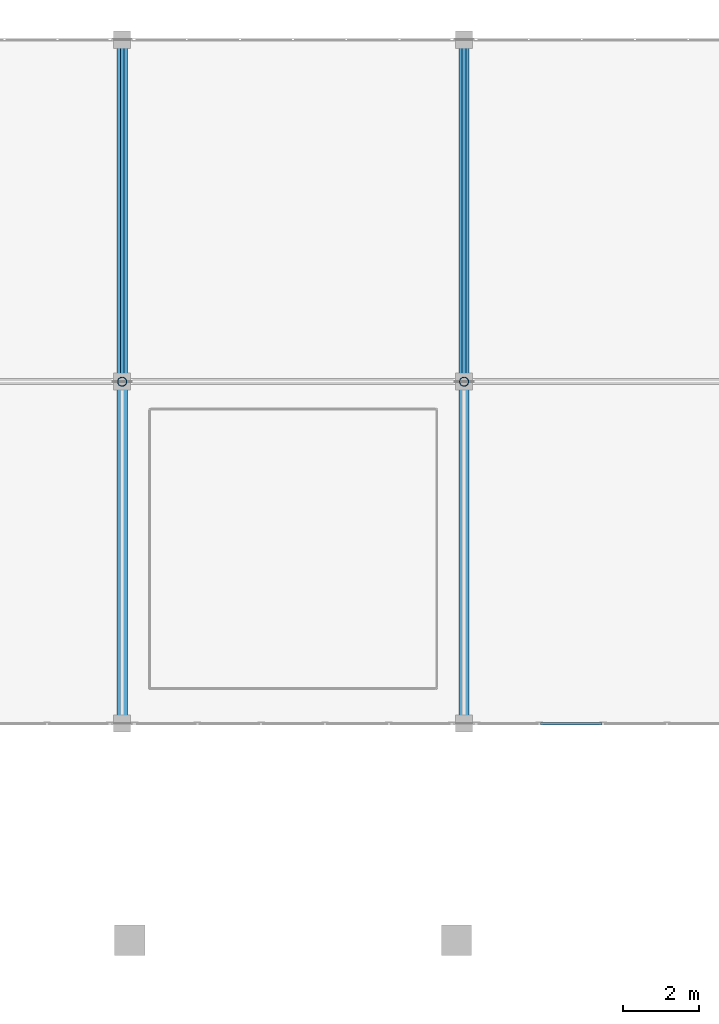
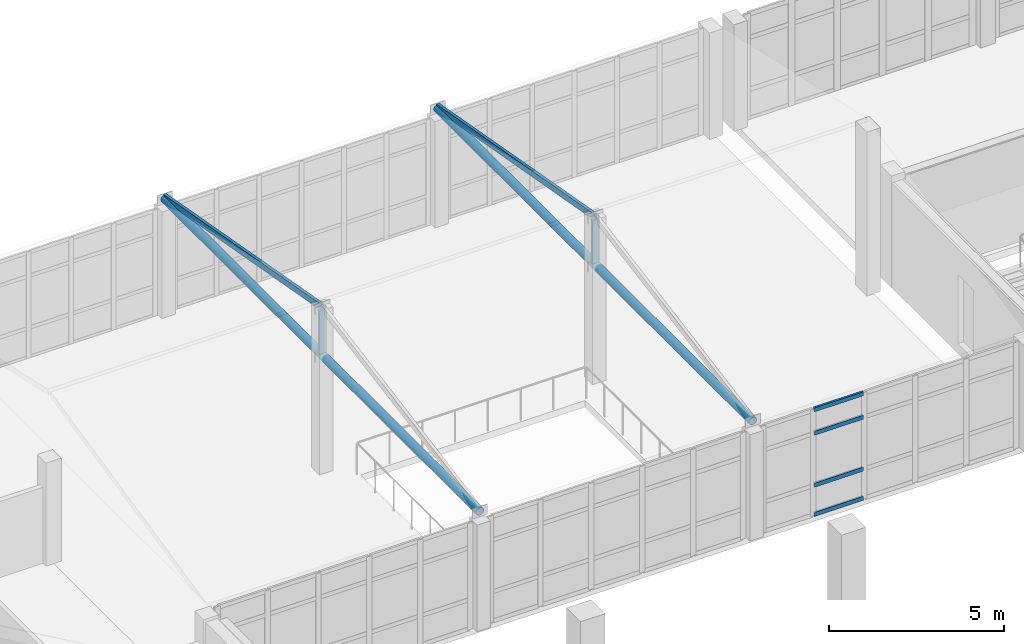
# One storey, part 48 of 156: 10 members, 1 element without a shape of its own.
"""IFC4 building model written with IfcOpenShell, lengths in metres."""

from ifc_helpers import new_model, si_unit, direction, frame, origin, origin_2d, place, context, subcontext, project, spatial, hollow_rectangle, hollow_circle, extrude, material, layer, layer_set, material_profile, profile_set, type_object, element, aggregate, save


model = new_model("IFC4")

# Units and contexts
model_context = context("Model", 3, precision=1e-05, world=origin(), true_north=direction((0.0, 1.0)))
body_context = subcontext(model_context, "Body", "Model", "MODEL_VIEW")
ifc_project = project(units=[si_unit("LENGTHUNIT", "METRE"), si_unit("AREAUNIT", "SQUARE_METRE"), si_unit("VOLUMEUNIT", "CUBIC_METRE"), si_unit("PLANEANGLEUNIT", "RADIAN"), si_unit("MASSUNIT", "GRAM", prefix="KILO")], contexts=[model_context])

# Site, building, storey
site_placement = place(None, origin())
site = spatial("IfcSite", under=ifc_project, at=site_placement, CompositionType="ELEMENT")
building_placement = place(site_placement, origin())
building = spatial("IfcBuilding", under=site, at=building_placement, Name="Ornek Quay Market", CompositionType="ELEMENT")
storey_placement = place(building_placement, frame((0.0, 0.0, 4.5)))
storey = spatial("IfcBuildingStorey", under=building, at=storey_placement, Name="L01", CompositionType="ELEMENT", Elevation=4.5)

# Curtain wall, members
ifc_material_1 = material(Name="Anodised bronze aluminium and triple low-e glass", Category="aluminium")
ifc_layer = layer(ifc_material_1, 0.199951171875, Name="Anodised bronze aluminium and triple low-e glass", Category="aluminium")
ifc_layer_set = layer_set([ifc_layer], Name="Anodised bronze aluminium and triple low-e glass")
curtain_wall_type = type_object("IfcCurtainWallType", Name="CW-CONC-MOD1800", PredefinedType="USERDEFINED", material=ifc_layer_set)
curtain_wall_placement = place(storey_placement, origin())
curtain_wall = element("IfcCurtainWall", 1, at=curtain_wall_placement, inside=storey, type_object=curtain_wall_type, Name="Curtain wall CW-022", ObjectType="CURTAIN WALL", PredefinedType="USERDEFINED")
ifc_material_2 = material(Name="Anodised aluminium 6063-T6", Category="aluminium")
ifc_material_profile_1 = material_profile(ifc_material_2, hollow_rectangle(XDim=0.06494140625, YDim=0.139892578125, WallThickness=0.00439453125, at=origin_2d()), Name="CW-TRN-65x140", Category="aluminium")
ifc_profile_set_1 = profile_set([ifc_material_profile_1], Name="Anodised aluminium 6063-T6")
member_type_1 = type_object("IfcMemberType", Name="CW-TRN-65x140", PredefinedType="USERDEFINED", material=ifc_profile_set_1)
member_1_placement = place(storey_placement, frame((47.012451171875, 92.0, 0.032470703125), z_axis=(1.0, 0.0, 0.0), x_axis=(0.0, 1.0, 0.0)))
member_1 = element("IfcMember", 2, at=member_1_placement, type_object=member_type_1, Name="CW-022 transom 2.1", ObjectType="TRANSOM", PredefinedType="USERDEFINED", context=body_context, shape_type="SweptSolid", body=[
    extrude(hollow_rectangle(XDim=0.06494140625, YDim=0.139892578125, WallThickness=0.00439453125, at=origin_2d()), origin(), (0.0, 0.0, 1.0), 1.614990234375),
])
member_2_placement = place(storey_placement, frame((47.012451171875, 92.0, 1.050048828125), z_axis=(1.0, 0.0, 0.0), x_axis=(0.0, 1.0, 0.0)))
member_2 = element("IfcMember", 3, at=member_2_placement, type_object=member_type_1, Name="CW-022 transom 2.2", ObjectType="TRANSOM", PredefinedType="USERDEFINED", context=body_context, shape_type="SweptSolid", body=[
    extrude(hollow_rectangle(XDim=0.06494140625, YDim=0.139892578125, WallThickness=0.00439453125, at=origin_2d()), origin(), (0.0, 0.0, 1.0), 1.614990234375),
])
member_3_placement = place(storey_placement, frame((47.012451171875, 92.0, 2.860107421875), z_axis=(1.0, 0.0, 0.0), x_axis=(0.0, 1.0, 0.0)))
member_3 = element("IfcMember", 4, at=member_3_placement, type_object=member_type_1, Name="CW-022 transom 2.3", ObjectType="TRANSOM", PredefinedType="USERDEFINED", context=body_context, shape_type="SweptSolid", body=[
    extrude(hollow_rectangle(XDim=0.06494140625, YDim=0.139892578125, WallThickness=0.00439453125, at=origin_2d()), origin(), (0.0, 0.0, 1.0), 1.614990234375),
])
member_4_placement = place(storey_placement, frame((47.012451171875, 92.0, 3.677490234375), z_axis=(1.0, 0.0, 0.0), x_axis=(0.0, 1.0, 0.0)))
member_4 = element("IfcMember", 5, at=member_4_placement, type_object=member_type_1, Name="CW-022 transom 2.4", ObjectType="TRANSOM", PredefinedType="USERDEFINED", context=body_context, shape_type="SweptSolid", body=[
    extrude(hollow_rectangle(XDim=0.06494140625, YDim=0.139892578125, WallThickness=0.00439453125, at=origin_2d()), origin(), (0.0, 0.0, 1.0), 1.614990234375),
])
aggregate(curtain_wall, [member_1, member_2, member_3, member_4])

# Members
ifc_material_3 = material(Name="Steel S355", Category="steel")
ifc_material_profile_2 = material_profile(ifc_material_3, hollow_circle(Radius=0.136474609375, WallThickness=0.012451171875, at=origin_2d()), Name="CHS 273x12.5", Category="steel")
ifc_profile_set_2 = profile_set([ifc_material_profile_2], Name="Steel S355")
member_type_2 = type_object("IfcMemberType", Name="MBR-CHD-CHS273", PredefinedType="CHORD", material=ifc_profile_set_2)
for number, where, z_axis, x_axis, name in (
    (6, (36.0, 92.0, 3.97998046875), (0.0, 1.0, 0.0), (-1.0, 0.0, 0.0), "Concourse skylight tie chord W-36"),
    (7, (45.0, 92.0, 3.97998046875), (0.0, 1.0, 0.0), (-1.0, 0.0, 0.0), "Concourse skylight tie chord W-45"),
):
    element("IfcMember", number, at=place(storey_placement, frame(where, z_axis=z_axis, x_axis=x_axis)), inside=storey, type_object=member_type_2, Name=name, PredefinedType="CHORD", context=body_context, shape_type="SweptSolid", body=[
        extrude(hollow_circle(Radius=0.136474609375, WallThickness=0.012451171875, at=origin_2d()), origin(), (0.0, 0.0, 1.0), 18.0),
    ])
ifc_material_profile_3 = material_profile(ifc_material_3, hollow_rectangle(XDim=0.10009765625, YDim=0.199951171875, WallThickness=0.008056640625, at=origin_2d()), Name="MBR-RAF-100x200", Category="steel")
ifc_profile_set_3 = profile_set([ifc_material_profile_3], Name="Steel S355")
member_type_3 = type_object("IfcMemberType", Name="MBR-RAF-100x200", PredefinedType="RAFTER", material=ifc_profile_set_3)
for number, where, z_axis, x_axis, name in (
    (8, (36.0, 101.0, 5.64990234375), (0.0, 0.984185744367, -0.177139551158), (-1.0, 0.0, 0.0), "Concourse skylight rafter W-36-N"),
    (9, (45.0, 101.0, 5.64990234375), (0.0, 0.984185744367, -0.177139551158), (-1.0, 0.0, 0.0), "Concourse skylight rafter W-45-N"),
):
    element("IfcMember", number, at=place(storey_placement, frame(where, z_axis=z_axis, x_axis=x_axis)), inside=storey, type_object=member_type_3, Name=name, PredefinedType="RAFTER", context=body_context, shape_type="SweptSolid", body=[
        extrude(hollow_rectangle(XDim=0.10009765625, YDim=0.199951171875, WallThickness=0.008056640625, at=origin_2d()), origin(), (0.0, 0.0, 1.0), 9.14453125),
    ])
ifc_material_profile_4 = material_profile(ifc_material_3, hollow_circle(Radius=0.122314453125, WallThickness=0.012451171875, at=origin_2d()), Name="CHS 244.5x12.5", Category="steel")
ifc_profile_set_4 = profile_set([ifc_material_profile_4], Name="Steel S355")
member_type_4 = type_object("IfcMemberType", Name="MBR-STR-CHS244", PredefinedType="STRUT", material=ifc_profile_set_4)
for number, where, z_axis, x_axis, name in (
    (10, (36.0, 101.0, 3.97998046875), (0.0, 0.0, 1.0), (1.0, 0.0, 0.0), "Concourse kingpost strut W-36"),
    (11, (45.0, 101.0, 3.97998046875), (0.0, 0.0, 1.0), (1.0, 0.0, 0.0), "Concourse kingpost strut W-45"),
):
    element("IfcMember", number, at=place(storey_placement, frame(where, z_axis=z_axis, x_axis=x_axis)), inside=storey, type_object=member_type_4, Name=name, PredefinedType="STRUT", context=body_context, shape_type="SweptSolid", body=[
        extrude(hollow_circle(Radius=0.122314453125, WallThickness=0.012451171875, at=origin_2d()), origin(), (0.0, 0.0, 1.0), 1.669921875),
    ])

save(model, "model.ifc")
